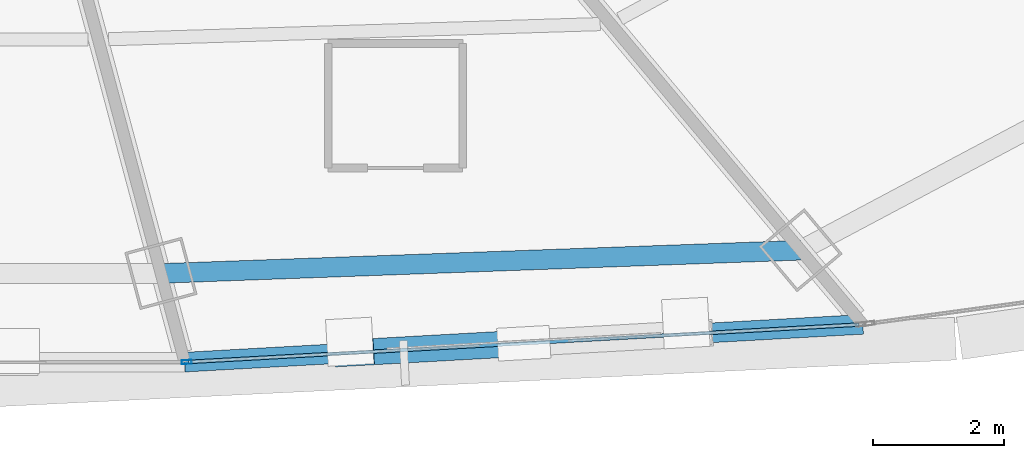
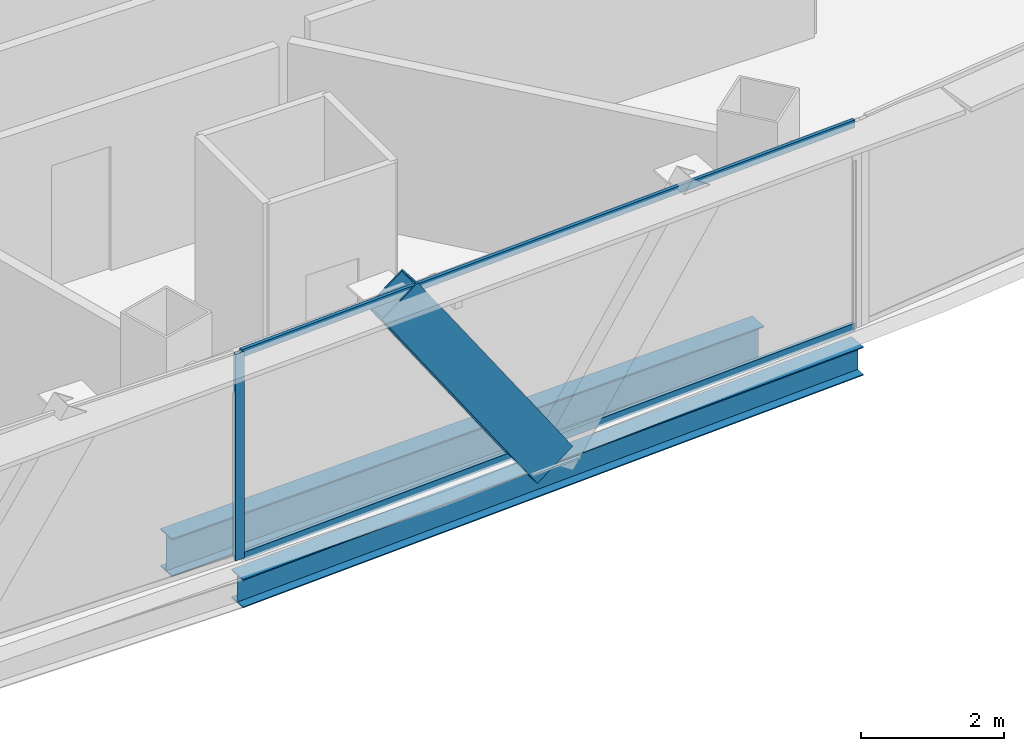
# One storey, part 12 of 36: 4 members, 2 beams, 1 element without a shape of its own.
"""IFC4 building model written with IfcOpenShell, lengths in metres."""

from ifc_helpers import new_model, si_unit, direction, frame, origin, origin_2d, place, context, subcontext, project, spatial, hollow_rectangle, i_section, extrude, source, transform, mapped, material, layer, layer_set, material_profile, profile_set, type_object, element, aggregate, save


model = new_model("IFC4")

# Units and contexts
model_context = context("Model", 3, precision=1e-05, world=origin(), true_north=direction((0.0, 1.0)))
body_context = subcontext(model_context, "Body", "Model", "MODEL_VIEW")
ifc_project = project(units=[si_unit("LENGTHUNIT", "METRE"), si_unit("AREAUNIT", "SQUARE_METRE"), si_unit("VOLUMEUNIT", "CUBIC_METRE"), si_unit("PLANEANGLEUNIT", "RADIAN"), si_unit("MASSUNIT", "GRAM", prefix="KILO"), si_unit("THERMODYNAMICTEMPERATUREUNIT", "KELVIN"), si_unit("POWERUNIT", "WATT")], contexts=[model_context])

# Site, building, storey
site_placement = place(None, origin())
site = spatial("IfcSite", under=ifc_project, at=site_placement, CompositionType="ELEMENT")
building_placement = place(site_placement, origin())
building = spatial("IfcBuilding", under=site, at=building_placement, Name="Yunzhuo Pagoda Commons", CompositionType="ELEMENT")
storey_placement = place(building_placement, frame((0.0, 0.0, 215.159912109375)))
storey = spatial("IfcBuildingStorey", under=building, at=storey_placement, Name="L54", CompositionType="ELEMENT", Elevation=215.159912109375)

# Beams
ifc_material_1 = material(Name="Structural steel Q355B", Category="steel")
ifc_material_profile_1 = material_profile(ifc_material_1, i_section(OverallWidth=0.300048828125, OverallDepth=0.64990234375, WebThickness=0.012939453125, FlangeThickness=0.02197265625, at=origin_2d()), Name="Structural steel Q355B")
ifc_profile_set_1 = profile_set([ifc_material_profile_1], Name="Structural steel Q355B")
beam_type_1 = type_object("IfcBeamType", Name="B-RG2 Beam HN 650x300x13x22", PredefinedType="BEAM", material=ifc_profile_set_1)
shared_shape_1 = source(origin(), body_context, "Body", "SweptSolid", [
    extrude(i_section(OverallWidth=0.300048828125, OverallDepth=0.64990234375, WebThickness=0.012939453125, FlangeThickness=0.02197265625, at=origin_2d()), origin(), (0.0, 0.0, 1.0), 9.754638671875),
])
beam_1_placement = place(storey_placement, frame((52.712890625, 16.1123046875, -0.5849609375), z_axis=(0.999343095614, 0.036240547032, 0.0), x_axis=(-0.036240547032, 0.999343095614, 0.0)))
element("IfcBeam", 1, at=beam_1_placement, inside=storey, type_object=beam_type_1, Name="L54 column-ring beam 3", PredefinedType="BEAM", context=body_context, shape_type="MappedRepresentation", body=[
    mapped(shared_shape_1, transform((0.0, 0.0, 0.0), scale=1.0)),
])
ifc_material_profile_2 = material_profile(ifc_material_1, i_section(OverallWidth=0.300048828125, OverallDepth=0.488037109375, WebThickness=0.010986328125, FlangeThickness=0.01806640625, at=origin_2d()), Name="Structural steel Q355B")
ifc_profile_set_2 = profile_set([ifc_material_profile_2], Name="Structural steel Q355B")
beam_type_2 = type_object("IfcBeamType", Name="B-SP1 Beam HM 488x300x11x18", PredefinedType="BEAM", material=ifc_profile_set_2)
shared_shape_2 = source(origin(), body_context, "Body", "SweptSolid", [
    extrude(i_section(OverallWidth=0.300048828125, OverallDepth=0.488037109375, WebThickness=0.010986328125, FlangeThickness=0.01806640625, at=origin_2d()), origin(), (0.0, 0.0, 1.0), 10.350341796875),
])
beam_2_placement = place(storey_placement, frame((53.074951171875, 14.760498046875, -0.50390625), z_axis=(0.998451995417, 0.055620255739, 0.0), x_axis=(-0.055620255739, 0.998451995417, 0.0)))
element("IfcBeam", 2, at=beam_2_placement, inside=storey, type_object=beam_type_2, Name="L54 facade edge spandrel beam F1.3", PredefinedType="BEAM", context=body_context, shape_type="MappedRepresentation", body=[
    mapped(shared_shape_2, transform((0.0, 0.0, 0.0), scale=1.0)),
])

# Member
ifc_material_profile_3 = material_profile(ifc_material_1, hollow_rectangle(XDim=0.39990234375, YDim=0.719970703125, WallThickness=0.02392578125, at=origin_2d()), Name="Structural steel Q355B")
ifc_profile_set_3 = profile_set([ifc_material_profile_3], Name="Structural steel Q355B")
member_type_1 = type_object("IfcMemberType", Name="M-DL2 Brace BOX 720x400x24", PredefinedType="BRACE", material=ifc_profile_set_3)
shared_shape_3 = source(origin(), body_context, "Body", "SweptSolid", [
    extrude(hollow_rectangle(XDim=0.39990234375, YDim=0.719970703125, WallThickness=0.02392578125, at=origin_2d()), origin(), (0.0, 0.0, 1.0), 4.580810546875),
])
member_1_placement = place(storey_placement, frame((58.241943359375, 15.04833984375, -0.260009765625), z_axis=(-0.563982350457, -0.031444867395, 0.825187935374), x_axis=(0.055668596465, -0.998449301351, 0.0)))
element("IfcMember", 3, at=member_1_placement, inside=storey, type_object=member_type_1, Name="L54 facade diamond brace F1.3L", PredefinedType="BRACE", context=body_context, shape_type="MappedRepresentation", body=[
    mapped(shared_shape_3, transform((0.0, 0.0, 0.0), scale=1.0)),
])

# Curtain wall, members
ifc_material_2 = material(Name="Anodized aluminium 6063-T6", Category="aluminium")
ifc_layer = layer(ifc_material_2, 0.14990234375)
ifc_layer_set = layer_set([ifc_layer], Name="Anodized aluminium 6063-T6")
curtain_wall_type = type_object("IfcCurtainWallType", Name="CW-MID Mid-Zone Ribbon Curtain Wall", PredefinedType="NOTDEFINED", material=ifc_layer_set)
curtain_wall_placement = place(storey_placement, origin())
curtain_wall = element("IfcCurtainWall", 4, at=curtain_wall_placement, inside=storey, type_object=curtain_wall_type, Name="L54 curtain wall CW-L54-F1B4", PredefinedType="NOTDEFINED")
ifc_material_profile_4 = material_profile(ifc_material_2, hollow_rectangle(XDim=0.054931640625, YDim=0.1298828125, WallThickness=0.00341796875, at=origin_2d()), Name="Anodized aluminium 6063-T6")
ifc_profile_set_4 = profile_set([ifc_material_profile_4], Name="Anodized aluminium 6063-T6")
member_type_2 = type_object("IfcMemberType", Name="CW-MID-T Transom RHS 130x55x3.5", PredefinedType="USERDEFINED", material=ifc_profile_set_4)
shared_shape_4 = source(origin(), body_context, "Body", "SweptSolid", [
    extrude(hollow_rectangle(XDim=0.054931640625, YDim=0.1298828125, WallThickness=0.00341796875, at=origin_2d()), origin(), (0.0, 0.0, 1.0), 10.230224609375),
])
member_2_placement = place(storey_placement, frame((53.134765625, 14.763671875, 0.027587890625), z_axis=(0.998450203238, 0.055652418231, 0.0), x_axis=(-0.055652418231, 0.998450203238, 0.0)))
member_2 = element("IfcMember", 5, at=member_2_placement, type_object=member_type_2, Name="CW transom 1.1", ObjectType="TRANSOM", PredefinedType="USERDEFINED", context=body_context, shape_type="MappedRepresentation", body=[
    mapped(shared_shape_4, transform((0.0, 0.0, 0.0), scale=1.0)),
])
member_3_placement = place(storey_placement, frame((53.134765625, 14.763671875, 3.49267578125), z_axis=(0.998450203238, 0.055652418231, 0.0), x_axis=(-0.055652418231, 0.998450203238, 0.0)))
member_3 = element("IfcMember", 6, at=member_3_placement, type_object=member_type_2, Name="CW transom 1.2", ObjectType="TRANSOM", PredefinedType="USERDEFINED", context=body_context, shape_type="MappedRepresentation", body=[
    mapped(shared_shape_4, transform((0.0, 0.0, 0.0), scale=1.0)),
])
ifc_material_profile_5 = material_profile(ifc_material_2, hollow_rectangle(XDim=0.06005859375, YDim=0.14990234375, WallThickness=0.00390625, at=origin_2d()), Name="Anodized aluminium 6063-T6")
ifc_profile_set_5 = profile_set([ifc_material_profile_5], Name="Anodized aluminium 6063-T6")
member_type_3 = type_object("IfcMemberType", Name="CW-MID-M Mullion RHS 150x60x4", PredefinedType="MULLION", material=ifc_profile_set_5)
shared_shape_5 = source(origin(), body_context, "Body", "SweptSolid", [
    extrude(hollow_rectangle(XDim=0.06005859375, YDim=0.14990234375, WallThickness=0.00390625, at=origin_2d()), origin(), (0.0, 0.0, 1.0), 3.52001953125),
])
member_4_placement = place(storey_placement, frame((53.104736328125, 14.761962890625, 0.0), z_axis=(0.0, 0.0, 1.0), x_axis=(-0.055641789149, 0.998450795633, 0.0)))
member_4 = element("IfcMember", 7, at=member_4_placement, type_object=member_type_3, Name="CW mullion 1", PredefinedType="MULLION", context=body_context, shape_type="MappedRepresentation", body=[
    mapped(shared_shape_5, transform((0.0, 0.0, 0.0), scale=1.0)),
])
aggregate(curtain_wall, [member_4, member_2, member_3])

save(model, "model.ifc")
